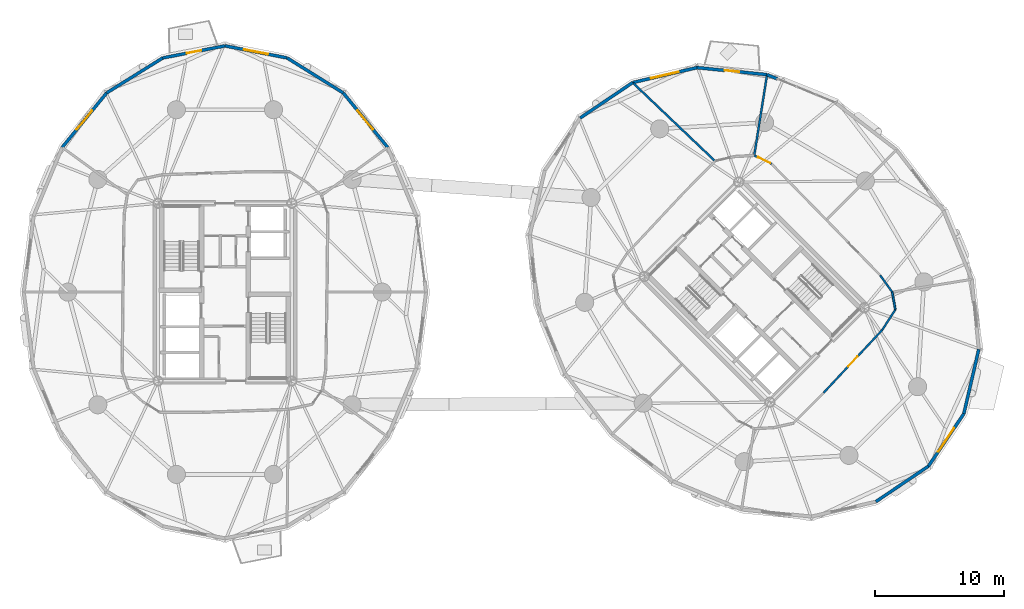
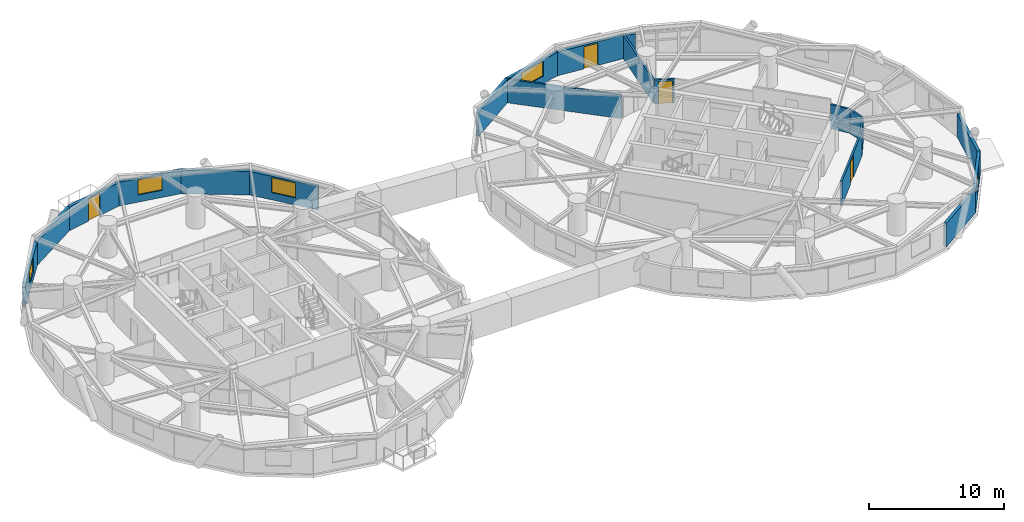
# One storey, part 14 of 18: 20 walls, 5 windows, 4 doors, 9 openings.
"""IFC4 building model written with IfcOpenShell, lengths in metres."""

from ifc_helpers import new_model, si_unit, direction, frame, frame_2d, origin, place, context, subcontext, project, spatial, rectangle, extrude, source, transform, mapped, material, layer, layer_set, type_object, element, fill, save


model = new_model("IFC4")

# Units and contexts
model_context = context("Model", 3, precision=1e-05, world=origin(), true_north=direction((0.0, 1.0)))
body_context = subcontext(model_context, "Body", "Model", "MODEL_VIEW")
ifc_project = project(units=[si_unit("LENGTHUNIT", "METRE"), si_unit("AREAUNIT", "SQUARE_METRE"), si_unit("VOLUMEUNIT", "CUBIC_METRE"), si_unit("PLANEANGLEUNIT", "RADIAN"), si_unit("MASSUNIT", "GRAM", prefix="KILO")], contexts=[model_context])

# Site, building, storey
site_placement = place(None, origin())
site = spatial("IfcSite", under=ifc_project, at=site_placement, CompositionType="ELEMENT")
building_placement = place(site_placement, origin())
building = spatial("IfcBuilding", under=site, at=building_placement, Name="Cununo Teusaquillo Station Towers", CompositionType="ELEMENT")
storey_placement = place(building_placement, frame((0.0, 0.0, 122.530029296875)))
storey = spatial("IfcBuildingStorey", under=building, at=storey_placement, Name="L39", CompositionType="ELEMENT", Elevation=122.530029296875)

# Wall, opening, window
ifc_material_1 = material(Name="Precast concrete C40/50", Category="concrete")
ifc_layer_1 = layer(ifc_material_1, 0.239990234375)
ifc_layer_set_1 = layer_set([ifc_layer_1], Name="Precast concrete C40/50")
wall_type_1 = type_object("IfcWallType", Name="WL-EXT-240", PredefinedType="SOLIDWALL", material=ifc_layer_set_1)
wall_1_placement = place(storey_placement, frame((25.658203125, 39.927978515625, 0.0), z_axis=(0.0, 0.0, 1.0), x_axis=(0.632700781152, -0.77439635945, 0.0)))
wall_1 = element("IfcWall", 1, at=wall_1_placement, inside=storey, type_object=wall_type_1, Name="L39 Tower A Exterior Facade Wall C02", PredefinedType="SOLIDWALL", context=body_context, shape_type="SweptSolid", body=[
    extrude(rectangle(XDim=5.447998046875, YDim=0.239990234375, at=frame_2d((2.72412109375, 0.0))), origin(), (0.0, 0.0, 1.0), 2.138916015625),
])
shared_shape_1 = source(origin(), body_context, "Body", "SweptSolid", [
    extrude(rectangle(XDim=1.89990234375, YDim=1.35009765625, at=frame_2d((0.949951171875, 0.675048828125))), frame((0.0, 0.1298828125, 0.0), z_axis=(0.0, -1.0, 0.0), x_axis=(1.0, 0.0, 0.0)), (0.0, 0.0, 1.0), 0.260009765625),
])
opening_1_placement = place(wall_1_placement, frame((1.77392578125, 0.0, 0.64990234375)))
opening_1 = element("IfcOpeningElement", 2, at=opening_1_placement, cuts=wall_1, Name="Opening WN-02", PredefinedType="OPENING", context=body_context, shape_type="MappedRepresentation", body=[
    mapped(shared_shape_1, transform((0.0, 0.0, 0.0), x_axis=(1.0, 0.0, 0.0), y_axis=(0.0, 1.0, 0.0), z_axis=(0.0, 0.0, 1.0), scale=1.0)),
])
ifc_material_2 = material(Name="Operable acoustic tinted low-E double glazing", Category="glass")
window_type_1 = type_object("IfcWindowType", Name="WIN-OPER-1900", PartitioningType="DOUBLE_PANEL_VERTICAL", PredefinedType="WINDOW", material=ifc_material_2)
shared_shape_2 = source(origin(), body_context, "Body", "SweptSolid", [
    extrude(rectangle(XDim=1.89990234375, YDim=1.35009765625, at=frame_2d((0.949951171875, 0.675048828125))), frame((0.0, 0.030029296875, 0.0), z_axis=(0.0, -1.0, 0.0), x_axis=(1.0, 0.0, 0.0)), (0.0, 0.0, 1.0), 0.06005859375),
])
window_1_placement = place(opening_1_placement, origin())
window_1 = element("IfcWindow", 3, at=window_1_placement, inside=storey, type_object=window_type_1, Name="L39 Tower A Facade Window C02", OverallHeight=1.35009765625, OverallWidth=1.89990234375, PartitioningType="DOUBLE_PANEL_VERTICAL", PredefinedType="WINDOW", context=body_context, shape_type="MappedRepresentation", body=[
    mapped(shared_shape_2, transform((0.0, 0.0, 0.0), x_axis=(1.0, 0.0, 0.0), y_axis=(0.0, 1.0, 0.0), z_axis=(0.0, 0.0, 1.0), scale=1.0)),
])
fill(opening_1, window_1)

# Wall
wall_2_placement = place(storey_placement, frame((21.314697265625, 42.63671875, 0.0), z_axis=(0.0, 0.0, 1.0), x_axis=(0.848520380187, -0.529162701263, 0.0)))
element("IfcWall", 4, at=wall_2_placement, inside=storey, type_object=wall_type_1, Name="L39 Tower A Exterior Facade Wall C03", PredefinedType="SOLIDWALL", context=body_context, shape_type="SweptSolid", body=[
    extrude(rectangle(XDim=5.118896484375, YDim=0.239990234375, at=frame_2d((2.5595703125, 0.0))), origin(), (0.0, 0.0, 1.0), 2.138916015625),
])

# Wall, opening, window
wall_3_placement = place(storey_placement, frame((16.5, 43.570068359375, 0.0), z_axis=(0.0, 0.0, 1.0), x_axis=(0.981723785992, -0.190311344954, 0.0)))
wall_3 = element("IfcWall", 5, at=wall_3_placement, inside=storey, type_object=wall_type_1, Name="L39 Tower A Exterior Facade Wall C04", PredefinedType="SOLIDWALL", context=body_context, shape_type="SweptSolid", body=[
    extrude(rectangle(XDim=4.904296875, YDim=0.239990234375, at=frame_2d((2.4521484375, 0.0))), origin(), (0.0, 0.0, 1.0), 2.138916015625),
])
opening_2_placement = place(wall_3_placement, frame((1.501953125, 0.0, 0.64990234375)))
opening_2 = element("IfcOpeningElement", 6, at=opening_2_placement, cuts=wall_3, Name="Opening WN-02", PredefinedType="OPENING", context=body_context, shape_type="MappedRepresentation", body=[
    mapped(shared_shape_1, transform((0.0, 0.0, 0.0), x_axis=(1.0, 0.0, 0.0), y_axis=(0.0, 1.0, 0.0), z_axis=(0.0, 0.0, 1.0), scale=1.0)),
])
window_2_placement = place(opening_2_placement, origin())
window_2 = element("IfcWindow", 7, at=window_2_placement, inside=storey, type_object=window_type_1, Name="L39 Tower A Facade Window C04", OverallHeight=1.35009765625, OverallWidth=1.89990234375, PartitioningType="DOUBLE_PANEL_VERTICAL", PredefinedType="WINDOW", context=body_context, shape_type="MappedRepresentation", body=[
    mapped(shared_shape_2, transform((0.0, 0.0, 0.0), x_axis=(1.0, 0.0, 0.0), y_axis=(0.0, 1.0, 0.0), z_axis=(0.0, 0.0, 1.0), scale=1.0)),
])
fill(opening_2, window_2)

# Wall, opening, door
wall_4_placement = place(storey_placement, frame((11.685302734375, 42.63671875, 0.0), z_axis=(0.0, 0.0, 1.0), x_axis=(0.981723785992, 0.190311344954, 0.0)))
wall_4 = element("IfcWall", 8, at=wall_4_placement, inside=storey, type_object=wall_type_1, Name="L39 Tower A Exterior Facade Wall C05", PredefinedType="SOLIDWALL", context=body_context, shape_type="SweptSolid", body=[
    extrude(rectangle(XDim=4.904296875, YDim=0.239990234375, at=frame_2d((2.4521484375, 0.0))), origin(), (0.0, 0.0, 1.0), 2.138916015625),
])
shared_shape_3 = source(origin(), body_context, "Body", "SweptSolid", [
    extrude(rectangle(XDim=1.14990234375, YDim=2.0048828125, at=frame_2d((0.574951171875, 1.00244140625))), frame((0.0, 0.1298828125, 0.0), z_axis=(0.0, -1.0, 0.0), x_axis=(1.0, 0.0, 0.0)), (0.0, 0.0, 1.0), 0.260009765625),
])
opening_3_placement = place(wall_4_placement, frame((1.876953125, 0.0, 0.0)))
opening_3 = element("IfcOpeningElement", 9, at=opening_3_placement, cuts=wall_4, Name="Opening ED-03", PredefinedType="OPENING", context=body_context, shape_type="MappedRepresentation", body=[
    mapped(shared_shape_3, transform((0.0, 0.0, 0.0), x_axis=(1.0, 0.0, 0.0), y_axis=(0.0, 1.0, 0.0), z_axis=(0.0, 0.0, 1.0), scale=1.0)),
])
ifc_material_3 = material(Name="Anodised dark bronze aluminium EN AW-6063-T6", Category="aluminium")
door_type_1 = type_object("IfcDoorType", Name="DR-EXT-BAL", OperationType="NOTDEFINED", PredefinedType="DOOR", material=ifc_material_3)
shared_shape_4 = source(origin(), body_context, "Body", "SweptSolid", [
    extrude(rectangle(XDim=1.14990234375, YDim=2.0048828125, at=frame_2d((0.574951171875, 1.00244140625))), frame((0.0, 0.02490234375, 0.0), z_axis=(0.0, -1.0, 0.0), x_axis=(1.0, 0.0, 0.0)), (0.0, 0.0, 1.0), 0.050048828125),
])
door_1_placement = place(opening_3_placement, origin())
door_1 = element("IfcDoor", 10, at=door_1_placement, inside=storey, type_object=door_type_1, Name="L39 Tower A Tree Balcony Door C05", OperationType="SINGLE_SWING_LEFT", OverallHeight=2.0048828125, OverallWidth=1.14990234375, PredefinedType="DOOR", context=body_context, shape_type="MappedRepresentation", body=[
    mapped(shared_shape_4, transform((0.0, 0.0, 0.0), x_axis=(1.0, 0.0, 0.0), y_axis=(0.0, 1.0, 0.0), z_axis=(0.0, 0.0, 1.0), scale=1.0)),
])
fill(opening_3, door_1)

# Wall
wall_5_placement = place(storey_placement, frame((7.341796875, 39.927978515625, 0.0), z_axis=(0.0, 0.0, 1.0), x_axis=(0.848520380187, 0.529162701263, 0.0)))
element("IfcWall", 11, at=wall_5_placement, inside=storey, type_object=wall_type_1, Name="L39 Tower A Exterior Facade Wall C06", PredefinedType="SOLIDWALL", context=body_context, shape_type="SweptSolid", body=[
    extrude(rectangle(XDim=5.118896484375, YDim=0.239990234375, at=frame_2d((2.5595703125, 0.0))), origin(), (0.0, 0.0, 1.0), 2.138916015625),
])

# Wall, opening, window
wall_6_placement = place(storey_placement, frame((3.894775390625, 35.708984375, 0.0), z_axis=(0.0, 0.0, 1.0), x_axis=(0.632700781152, 0.77439635945, 0.0)))
wall_6 = element("IfcWall", 12, at=wall_6_placement, inside=storey, type_object=wall_type_1, Name="L39 Tower A Exterior Facade Wall C07", PredefinedType="SOLIDWALL", context=body_context, shape_type="SweptSolid", body=[
    extrude(rectangle(XDim=5.447998046875, YDim=0.239990234375, at=frame_2d((2.72412109375, 0.0))), origin(), (0.0, 0.0, 1.0), 2.138916015625),
])
opening_4_placement = place(wall_6_placement, frame((1.77392578125, 0.0, 0.64990234375)))
opening_4 = element("IfcOpeningElement", 13, at=opening_4_placement, cuts=wall_6, Name="Opening WN-02", PredefinedType="OPENING", context=body_context, shape_type="MappedRepresentation", body=[
    mapped(shared_shape_1, transform((0.0, 0.0, 0.0), x_axis=(1.0, 0.0, 0.0), y_axis=(0.0, 1.0, 0.0), z_axis=(0.0, 0.0, 1.0), scale=1.0)),
])
window_3_placement = place(opening_4_placement, origin())
window_3 = element("IfcWindow", 14, at=window_3_placement, inside=storey, type_object=window_type_1, Name="L39 Tower A Facade Window C07", OverallHeight=1.35009765625, OverallWidth=1.89990234375, PartitioningType="DOUBLE_PANEL_VERTICAL", PredefinedType="WINDOW", context=body_context, shape_type="MappedRepresentation", body=[
    mapped(shared_shape_2, transform((0.0, 0.0, 0.0), x_axis=(1.0, 0.0, 0.0), y_axis=(0.0, 1.0, 0.0), z_axis=(0.0, 0.0, 1.0), scale=1.0)),
])
fill(opening_4, window_3)

# Wall
wall_7_placement = place(storey_placement, frame((58.4873046875, 41.33935546875, 0.0), z_axis=(0.0, 0.0, 1.0), x_axis=(0.924556017656, -0.381046152345, 0.0)))
element("IfcWall", 15, at=wall_7_placement, inside=storey, type_object=wall_type_1, Name="L39 Tower B Column Pier Cladding Wall C01-PA", PredefinedType="SOLIDWALL", context=body_context, shape_type="SweptSolid", body=[
    extrude(rectangle(XDim=0.8701171875, YDim=0.239990234375, at=frame_2d((0.43505859375, 0.0))), origin(), (0.0, 0.0, 1.0), 2.138916015625),
])

# Wall, opening, door
wall_8_placement = place(storey_placement, frame((53.066650390625, 41.885009765625, 0.0), z_axis=(0.0, 0.0, 1.0), x_axis=(0.994971754311, -0.10015591906, 0.0)))
wall_8 = element("IfcWall", 16, at=wall_8_placement, inside=storey, type_object=wall_type_1, Name="L39 Tower B Exterior Facade Wall C02", PredefinedType="SOLIDWALL", context=body_context, shape_type="SweptSolid", body=[
    extrude(rectangle(XDim=5.447998046875, YDim=0.239990234375, at=frame_2d((2.72412109375, 0.0))), origin(), (0.0, 0.0, 1.0), 2.138916015625),
])
opening_5_placement = place(wall_8_placement, frame((2.14892578125, 0.0, 0.0)))
opening_5 = element("IfcOpeningElement", 17, at=opening_5_placement, cuts=wall_8, Name="Opening ED-03", PredefinedType="OPENING", context=body_context, shape_type="MappedRepresentation", body=[
    mapped(shared_shape_3, transform((0.0, 0.0, 0.0), x_axis=(1.0, 0.0, 0.0), y_axis=(0.0, 1.0, 0.0), z_axis=(0.0, 0.0, 1.0), scale=1.0)),
])
door_2_placement = place(opening_5_placement, origin())
door_2 = element("IfcDoor", 18, at=door_2_placement, inside=storey, type_object=door_type_1, Name="L39 Tower B Tree Balcony Door C02", OperationType="SINGLE_SWING_LEFT", OverallHeight=2.0048828125, OverallWidth=1.14990234375, PredefinedType="DOOR", context=body_context, shape_type="MappedRepresentation", body=[
    mapped(shared_shape_4, transform((0.0, 0.0, 0.0), x_axis=(1.0, 0.0, 0.0), y_axis=(0.0, 1.0, 0.0), z_axis=(0.0, 0.0, 1.0), scale=1.0)),
])
fill(opening_5, door_2)

# Wall, opening, window
wall_9_placement = place(storey_placement, frame((48.080078125, 40.72900390625, 0.0), z_axis=(0.0, 0.0, 1.0), x_axis=(0.974165631126, 0.225834725257, 0.0)))
wall_9 = element("IfcWall", 19, at=wall_9_placement, inside=storey, type_object=wall_type_1, Name="L39 Tower B Exterior Facade Wall C03", PredefinedType="SOLIDWALL", context=body_context, shape_type="SweptSolid", body=[
    extrude(rectangle(XDim=5.118896484375, YDim=0.239990234375, at=frame_2d((2.5595703125, 0.0))), origin(), (0.0, 0.0, 1.0), 2.138916015625),
])
shared_shape_5 = source(origin(), body_context, "Body", "SweptSolid", [
    extrude(rectangle(XDim=2.199951171875, YDim=1.35009765625, at=frame_2d((1.10009765625, 0.675048828125))), frame((0.0, 0.1298828125, 0.0), z_axis=(0.0, -1.0, 0.0), x_axis=(1.0, 0.0, 0.0)), (0.0, 0.0, 1.0), 0.260009765625),
])
opening_6_placement = place(wall_9_placement, frame((1.458984375, 0.0, 0.64990234375)))
opening_6 = element("IfcOpeningElement", 20, at=opening_6_placement, cuts=wall_9, Name="Opening WN-01", PredefinedType="OPENING", context=body_context, shape_type="MappedRepresentation", body=[
    mapped(shared_shape_5, transform((0.0, 0.0, 0.0), x_axis=(1.0, 0.0, 0.0), y_axis=(0.0, 1.0, 0.0), z_axis=(0.0, 0.0, 1.0), scale=1.0)),
])
ifc_material_4 = material(Name="Ceramic-fritted dark low-E double glazing", Category="glass")
window_type_2 = type_object("IfcWindowType", Name="WIN-FRIT-2200", PartitioningType="DOUBLE_PANEL_VERTICAL", PredefinedType="WINDOW", material=ifc_material_4)
shared_shape_6 = source(origin(), body_context, "Body", "SweptSolid", [
    extrude(rectangle(XDim=2.199951171875, YDim=1.35009765625, at=frame_2d((1.10009765625, 0.675048828125))), frame((0.0, 0.030029296875, 0.0), z_axis=(0.0, -1.0, 0.0), x_axis=(1.0, 0.0, 0.0)), (0.0, 0.0, 1.0), 0.06005859375),
])
window_4_placement = place(opening_6_placement, origin())
window_4 = element("IfcWindow", 21, at=window_4_placement, inside=storey, type_object=window_type_2, Name="L39 Tower B Facade Window C03", OverallHeight=1.35009765625, OverallWidth=2.199951171875, PartitioningType="DOUBLE_PANEL_VERTICAL", PredefinedType="WINDOW", context=body_context, shape_type="MappedRepresentation", body=[
    mapped(shared_shape_6, transform((0.0, 0.0, 0.0), x_axis=(1.0, 0.0, 0.0), y_axis=(0.0, 1.0, 0.0), z_axis=(0.0, 0.0, 1.0), scale=1.0)),
])
fill(opening_6, window_4)

# Walls
for number, where, z_axis, x_axis, name in (
    (22, (44.015380859375, 37.984619140625, 0.0), (0.0, 0.0, 1.0), (0.828781148131, 0.559572880421, 0.0), "L39 Tower B Exterior Facade Wall C04"),
    (23, (70.984619140625, 11.015380859375, 0.0), (0.0, 0.0, 1.0), (-0.828781148131, -0.559572880421, 0.0), "L39 Tower B Exterior Facade Wall C14"),
):
    element("IfcWall", number, at=place(storey_placement, frame(where, z_axis=z_axis, x_axis=x_axis)), inside=storey, type_object=wall_type_1, Name=name, PredefinedType="SOLIDWALL", context=body_context, shape_type="SweptSolid", body=[
        extrude(rectangle(XDim=4.904541015625, YDim=0.239990234375, at=frame_2d((2.4521484375, 0.0))), origin(), (0.0, 0.0, 1.0), 2.138916015625),
    ])

# Wall, opening, window
wall_10_placement = place(storey_placement, frame((73.72900390625, 15.080078125, 0.0), z_axis=(0.0, 0.0, 1.0), x_axis=(-0.559572880421, -0.828781148131, 0.0)))
wall_10 = element("IfcWall", 24, at=wall_10_placement, inside=storey, type_object=wall_type_1, Name="L39 Tower B Exterior Facade Wall C15", PredefinedType="SOLIDWALL", context=body_context, shape_type="SweptSolid", body=[
    extrude(rectangle(XDim=4.904541015625, YDim=0.239990234375, at=frame_2d((2.4521484375, 0.0))), origin(), (0.0, 0.0, 1.0), 2.138916015625),
])
opening_7_placement = place(wall_10_placement, frame((1.35205078125, 0.0, 0.64990234375)))
opening_7 = element("IfcOpeningElement", 25, at=opening_7_placement, cuts=wall_10, Name="Opening WN-01", PredefinedType="OPENING", context=body_context, shape_type="MappedRepresentation", body=[
    mapped(shared_shape_5, transform((0.0, 0.0, 0.0), x_axis=(1.0, 0.0, 0.0), y_axis=(0.0, 1.0, 0.0), z_axis=(0.0, 0.0, 1.0), scale=1.0)),
])
window_5_placement = place(opening_7_placement, origin())
window_5 = element("IfcWindow", 26, at=window_5_placement, inside=storey, type_object=window_type_2, Name="L39 Tower B Facade Window C15", OverallHeight=1.35009765625, OverallWidth=2.199951171875, PartitioningType="DOUBLE_PANEL_VERTICAL", PredefinedType="WINDOW", context=body_context, shape_type="MappedRepresentation", body=[
    mapped(shared_shape_6, transform((0.0, 0.0, 0.0), x_axis=(1.0, 0.0, 0.0), y_axis=(0.0, 1.0, 0.0), z_axis=(0.0, 0.0, 1.0), scale=1.0)),
])
fill(opening_7, window_5)

# Wall
wall_11_placement = place(storey_placement, frame((74.885009765625, 20.066650390625, 0.0), z_axis=(0.0, 0.0, 1.0), x_axis=(-0.225834725257, -0.974165631126, 0.0)))
element("IfcWall", 27, at=wall_11_placement, inside=storey, type_object=wall_type_1, Name="L39 Tower B Exterior Facade Wall C16", PredefinedType="SOLIDWALL", context=body_context, shape_type="SweptSolid", body=[
    extrude(rectangle(XDim=5.118896484375, YDim=0.239990234375, at=frame_2d((2.5595703125, 0.0))), origin(), (0.0, 0.0, 1.0), 2.138916015625),
])

# Wall, opening, door
ifc_material_5 = material(Name="Fire-rated gypsum plasterboard partition assembly", Category="gypsum")
ifc_layer_2 = layer(ifc_material_5, 0.14990234375)
ifc_layer_set_2 = layer_set([ifc_layer_2], Name="Fire-rated gypsum plasterboard partition assembly")
wall_type_2 = type_object("IfcWallType", Name="WL-PART-150", PredefinedType="PARTITIONING", material=ifc_layer_set_2)
wall_12_placement = place(storey_placement, frame((58.834716796875, 34.435302734375, 0.0), z_axis=(0.0, 0.0, 1.0), x_axis=(-0.900352167336, 0.4351620098, 0.0)))
wall_12 = element("IfcWall", 28, at=wall_12_placement, inside=storey, type_object=wall_type_2, Name="L39 Tower B Corridor Ring Wall C01", PredefinedType="PARTITIONING", context=body_context, shape_type="SweptSolid", body=[
    extrude(rectangle(XDim=1.48779296875, YDim=0.14990234375, at=frame_2d((0.743896484375, 0.0))), origin(), (0.0, 0.0, 1.0), 2.18505859375),
])
shared_shape_7 = source(origin(), body_context, "Body", "SweptSolid", [
    extrude(rectangle(XDim=1.050048828125, YDim=2.014892578125, at=frame_2d((0.52490234375, 1.00732421875))), frame((0.0, 0.0849609375, 0.0), z_axis=(0.0, -1.0, 0.0), x_axis=(1.0, 0.0, 0.0)), (0.0, 0.0, 1.0), 0.169921875),
])
opening_8_placement = place(wall_12_placement, frame((0.1201171875, 0.0, 0.0)))
opening_8 = element("IfcOpeningElement", 29, at=opening_8_placement, cuts=wall_12, Name="Opening D-SU1", PredefinedType="OPENING", context=body_context, shape_type="MappedRepresentation", body=[
    mapped(shared_shape_7, transform((0.0, 0.0, 0.0), x_axis=(1.0, 0.0, 0.0), y_axis=(0.0, 1.0, 0.0), z_axis=(0.0, 0.0, 1.0), scale=1.0)),
])
ifc_material_6 = material(Name="Acoustic solid-core hardwood leaf assembly", Category="wood")
door_type_2 = type_object("IfcDoorType", Name="DR-SUITE-1050", OperationType="NOTDEFINED", PredefinedType="DOOR", material=ifc_material_6)
shared_shape_8 = source(origin(), body_context, "Body", "SweptSolid", [
    extrude(rectangle(XDim=1.050048828125, YDim=2.014892578125, at=frame_2d((0.52490234375, 1.00732421875))), frame((0.0, 0.02490234375, 0.0), z_axis=(0.0, -1.0, 0.0), x_axis=(1.0, 0.0, 0.0)), (0.0, 0.0, 1.0), 0.050048828125),
])
door_3_placement = place(opening_8_placement, origin())
door_3 = element("IfcDoor", 30, at=door_3_placement, inside=storey, type_object=door_type_2, Name="L39 Tower B Media Production Control Room Entrance Door", OperationType="SINGLE_SWING_LEFT", OverallHeight=2.014892578125, OverallWidth=1.050048828125, PredefinedType="DOOR", context=body_context, shape_type="MappedRepresentation", body=[
    mapped(shared_shape_8, transform((0.0, 0.0, 0.0), x_axis=(1.0, 0.0, 0.0), y_axis=(0.0, 1.0, 0.0), z_axis=(0.0, 0.0, 1.0), scale=1.0)),
])
fill(opening_8, door_3)

wall_13_placement = place(storey_placement, frame((62.8671875, 16.70166015625, 0.0), z_axis=(0.0, 0.0, 1.0), x_axis=(0.682449206191, 0.73093302085, 0.0)))
wall_13 = element("IfcWall", 31, at=wall_13_placement, inside=storey, type_object=wall_type_2, Name="L39 Tower B Corridor Ring Wall C15", PredefinedType="PARTITIONING", context=body_context, shape_type="SweptSolid", body=[
    extrude(rectangle(XDim=6.641845703125, YDim=0.14990234375, at=frame_2d((3.32080078125, 0.0))), origin(), (0.0, 0.0, 1.0), 2.18505859375),
])
opening_9_placement = place(wall_13_placement, frame((2.7958984375, 0.0, 0.0)))
opening_9 = element("IfcOpeningElement", 32, at=opening_9_placement, cuts=wall_13, Name="Opening D-SU1", PredefinedType="OPENING", context=body_context, shape_type="MappedRepresentation", body=[
    mapped(shared_shape_7, transform((0.0, 0.0, 0.0), x_axis=(1.0, 0.0, 0.0), y_axis=(0.0, 1.0, 0.0), z_axis=(0.0, 0.0, 1.0), scale=1.0)),
])
door_4_placement = place(opening_9_placement, origin())
door_4 = element("IfcDoor", 33, at=door_4_placement, inside=storey, type_object=door_type_2, Name="L39 Tower B Event Catering Pantry Entrance Door", OperationType="SINGLE_SWING_LEFT", OverallHeight=2.014892578125, OverallWidth=1.050048828125, PredefinedType="DOOR", context=body_context, shape_type="MappedRepresentation", body=[
    mapped(shared_shape_8, transform((0.0, 0.0, 0.0), x_axis=(1.0, 0.0, 0.0), y_axis=(0.0, 1.0, 0.0), z_axis=(0.0, 0.0, 1.0), scale=1.0)),
])
fill(opening_9, door_4)

# Walls
wall_14_placement = place(storey_placement, frame((67.39990234375, 21.556396484375, 0.0), z_axis=(0.0, 0.0, 1.0), x_axis=(0.542247692187, 0.840218686009, 0.0)))
element("IfcWall", 34, at=wall_14_placement, inside=storey, type_object=wall_type_2, Name="L39 Tower B Corridor Ring Wall C16", PredefinedType="PARTITIONING", context=body_context, shape_type="SweptSolid", body=[
    extrude(rectangle(XDim=1.886962890625, YDim=0.14990234375, at=frame_2d((0.943359375, 0.0))), origin(), (0.0, 0.0, 1.0), 2.18505859375),
])
wall_15_placement = place(storey_placement, frame((68.423095703125, 23.141845703125, 0.0), z_axis=(0.0, 0.0, 1.0), x_axis=(-0.174796562349, 0.984604571283, 0.0)))
element("IfcWall", 35, at=wall_15_placement, inside=storey, type_object=wall_type_2, Name="L39 Tower B Corridor Ring Wall C17", PredefinedType="PARTITIONING", context=body_context, shape_type="SweptSolid", body=[
    extrude(rectangle(XDim=1.377197265625, YDim=0.14990234375, at=frame_2d((0.6884765625, 0.0))), origin(), (0.0, 0.0, 1.0), 2.18505859375),
])
wall_16_placement = place(storey_placement, frame((68.182373046875, 24.497802734375, 0.0), z_axis=(0.0, 0.0, 1.0), x_axis=(-0.582532339525, 0.812807525437, 0.0)))
element("IfcWall", 36, at=wall_16_placement, inside=storey, type_object=wall_type_2, Name="L39 Tower B Corridor Ring Wall C18", PredefinedType="PARTITIONING", context=body_context, shape_type="SweptSolid", body=[
    extrude(rectangle(XDim=1.605224609375, YDim=0.14990234375, at=frame_2d((0.802734375, 0.0))), origin(), (0.0, 0.0, 1.0), 2.18505859375),
])
ifc_material_7 = material(Name="Fire-rated gypsum plasterboard partition assembly", Category="gypsum")
ifc_layer_3 = layer(ifc_material_7, 0.159912109375)
ifc_layer_set_3 = layer_set([ifc_layer_3], Name="Fire-rated gypsum plasterboard partition assembly")
wall_type_3 = type_object("IfcWallType", Name="WL-PART-160", PredefinedType="PARTITIONING", material=ifc_layer_set_3)
wall_17_placement = place(storey_placement, frame((57.4951171875, 35.082763671875, 0.0), z_axis=(0.0, 0.0, 1.0), x_axis=(0.156619688156, 0.987658986332, 0.0)))
element("IfcWall", 37, at=wall_17_placement, inside=storey, type_object=wall_type_3, Name="L39 Tower B Radial Suite Partition R02", PredefinedType="PARTITIONING", context=body_context, shape_type="SweptSolid", body=[
    extrude(rectangle(XDim=6.314697265625, YDim=0.159912109375, at=frame_2d((3.1572265625, 0.0))), origin(), (0.0, 0.0, 1.0), 2.138916015625),
])
wall_18_placement = place(storey_placement, frame((54.46142578125, 34.647705078125, 0.0), z_axis=(0.0, 0.0, 1.0), x_axis=(-0.724444126295, 0.689333524411, 0.0)))
element("IfcWall", 38, at=wall_18_placement, inside=storey, type_object=wall_type_3, Name="L39 Tower B Radial Suite Partition R03", PredefinedType="PARTITIONING", context=body_context, shape_type="SweptSolid", body=[
    extrude(rectangle(XDim=8.796142578125, YDim=0.159912109375, at=frame_2d((4.39794921875, 0.0))), origin(), (0.0, 0.0, 1.0), 2.138916015625),
])

save(model, "model.ifc")
